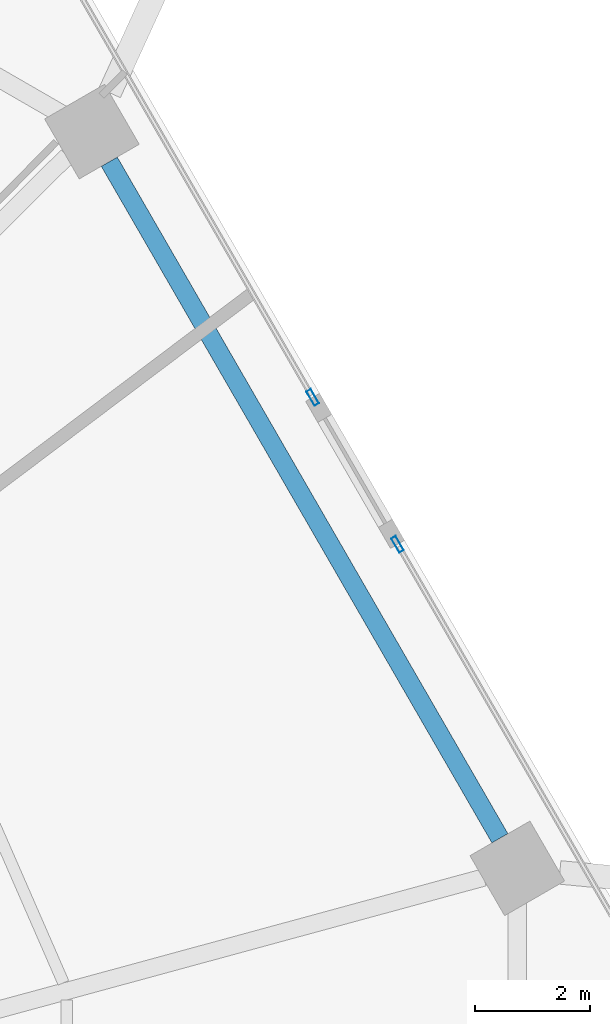
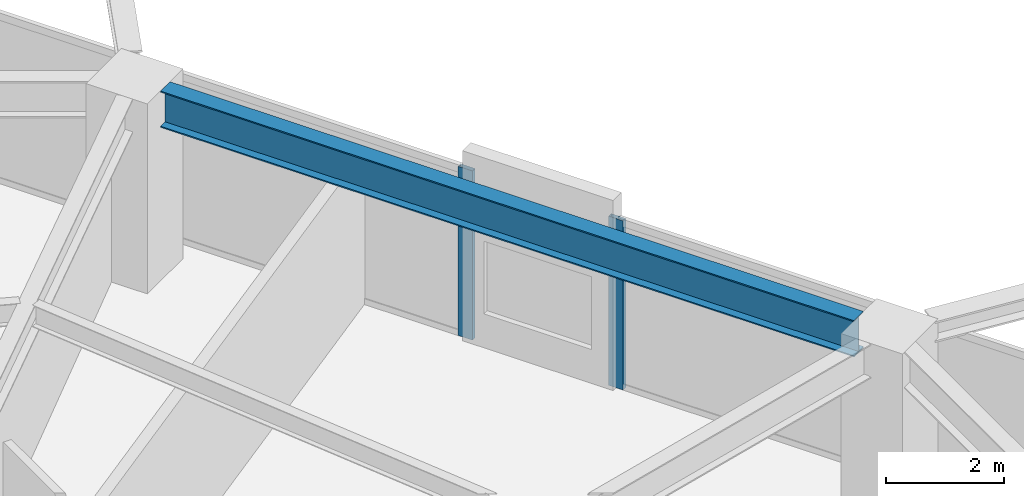
# One storey, part 17 of 25: 2 members, 1 beam, 2 elements without a shape of their own.
"""IFC4 building model written with IfcOpenShell, lengths in metres."""

import ifcopenshell
import ifcopenshell.guid

model = None  # the IFC model being written
_history = None  # IfcOwnerHistory: only IFC2X3 demands one
_inside = {}  # id of a spatial element -> (the spatial element, [elements in it])
_under = {}  # id of a project, library or spatial element -> (it, [spatial elements below it])
_declared = {}  # id of a project -> (the project, [libraries it declares])
_typed = {}  # id of a type object -> (the type object, [elements of that type])
_made_of = {}  # id of a material, layer set ... -> (it, [elements and type objects made of it])


def new_model(schema):
    """Start an empty IFC model of exactly this schema.

    Asked for "IFC4X3", IfcOpenShell would pick the latest addendum, in which some entities
    have other attributes; the version numbers below select the first issue.
    IFC2X3 requires an IfcOwnerHistory on every rooted entity: one is made here for all.
    """
    global model, _history
    if schema == "IFC4X3":
        model = ifcopenshell.file(schema_version=(4, 3, 0, 0))
    else:
        model = ifcopenshell.file(schema=schema)
    _inside.clear()
    _under.clear()
    _declared.clear()
    _typed.clear()
    _made_of.clear()
    _history = None
    if model.schema == "IFC2X3":
        org = make("IfcOrganization", Name="unknown")
        user = make(
            "IfcPersonAndOrganization",
            ThePerson=make("IfcPerson", FamilyName="unknown"),
            TheOrganization=org,
        )
        app = make(
            "IfcApplication",
            ApplicationDeveloper=org,
            Version="unknown",
            ApplicationFullName="unknown",
            ApplicationIdentifier="unknown",
        )
        _history = make(
            "IfcOwnerHistory",
            OwningUser=user,
            OwningApplication=app,
            ChangeAction="ADDED",
            CreationDate=0,
        )
    return model


def make(cls, **values):
    """One entity of the class cls with the attributes given. An attribute that is None is left unset."""
    return model.create_entity(
        cls, **{name: value for name, value in values.items() if value is not None}
    )


def rooted(cls, **values):
    """An entity with a GlobalId (a new one), such as an element, a storey or a relation."""
    return make(cls, GlobalId=ifcopenshell.guid.new(), OwnerHistory=_history, **values)


def si_unit(unit_type, name, prefix=None):
    """IfcSIUnit, for example si_unit("LENGTHUNIT", "METRE", prefix="MILLI")."""
    return make("IfcSIUnit", UnitType=unit_type, Prefix=prefix, Name=name)


def assignment(units):
    """IfcUnitAssignment: the units of a project."""
    return None if units is None else make("IfcUnitAssignment", Units=units)


def point(xyz):
    """IfcCartesianPoint."""
    return None if xyz is None else make("IfcCartesianPoint", Coordinates=xyz)


def direction(xyz):
    """IfcDirection."""
    return None if xyz is None else make("IfcDirection", DirectionRatios=xyz)


def frame(location, z_axis=None, x_axis=None):
    """IfcAxis2Placement3D, a coordinate frame: its origin and axes. An axis left out is left unset."""
    return make(
        "IfcAxis2Placement3D",
        Location=point(location),
        Axis=direction(z_axis),
        RefDirection=direction(x_axis),
    )


def frame_2d(location, x_axis=None):
    """IfcAxis2Placement2D, a coordinate frame in the plane: its origin and x axis."""
    return make(
        "IfcAxis2Placement2D", Location=point(location), RefDirection=direction(x_axis)
    )


def origin():
    """The frame at (0, 0, 0) with its axes left unset."""
    return frame((0.0, 0.0, 0.0))


def origin_2d():
    """The frame at (0, 0) in the plane with its x axis left unset."""
    return frame_2d((0.0, 0.0))


def place(relative_to, where):
    """IfcLocalPlacement: puts the frame where relative to a parent placement (None: the world)."""
    return make(
        "IfcLocalPlacement", PlacementRelTo=relative_to, RelativePlacement=where
    )


def context(
    kind, dimensions, precision=None, world=None, true_north=None, identifier=None
):
    """IfcGeometricRepresentationContext, for example the 3D "Model" context."""
    return make(
        "IfcGeometricRepresentationContext",
        ContextIdentifier=identifier,
        ContextType=kind,
        CoordinateSpaceDimension=dimensions,
        Precision=precision,
        WorldCoordinateSystem=world,
        TrueNorth=true_north,
    )


def subcontext(parent, identifier, kind, view, scale=None):
    """IfcGeometricRepresentationSubContext, for example "Body" below "Model"."""
    return make(
        "IfcGeometricRepresentationSubContext",
        ContextIdentifier=identifier,
        ContextType=kind,
        ParentContext=parent,
        TargetScale=scale,
        TargetView=view,
    )


def project(units=None, contexts=None):
    """IfcProject with its units and contexts."""
    return rooted(
        "IfcProject",
        Name="project",
        RepresentationContexts=contexts,
        UnitsInContext=assignment(units),
    )


def spatial(cls, under=None, at=None, **own):
    """A site, building, storey or space (cls), placed at a placement, below another one or the project."""
    s = rooted(cls, ObjectPlacement=at, **own)
    if under is not None:
        _under.setdefault(under.id(), (under, []))[1].append(s)
    return s


def profile(cls, at=None, kind="AREA", **sizes):
    """A parametric profile (cls). Its sizes go by their IFC names, for example OverallWidth=200.0."""
    return make(cls, ProfileType=kind, Position=at, **sizes)


def hollow_rectangle(**sizes):
    """IfcRectangleHollowProfileDef."""
    return profile("IfcRectangleHollowProfileDef", **sizes)


def i_section(**sizes):
    """IfcIShapeProfileDef."""
    return profile("IfcIShapeProfileDef", **sizes)


def extrude(swept, where, along, depth):
    """IfcExtrudedAreaSolid: the profile swept, set in the frame where, extruded along a direction by depth."""
    return make(
        "IfcExtrudedAreaSolid",
        SweptArea=swept,
        Position=where,
        ExtrudedDirection=direction(along),
        Depth=depth,
    )


def shape(context_of_items, identifier, shape_type, items):
    """IfcShapeRepresentation: the items that make up one representation, for example the "Body"."""
    return make(
        "IfcShapeRepresentation",
        ContextOfItems=context_of_items,
        RepresentationIdentifier=identifier,
        RepresentationType=shape_type,
        Items=items,
    )


def material(Name=None, Category=None):
    """IfcMaterial."""
    return make("IfcMaterial", Name=Name, Category=Category)


def material_profile(
    of_material, cross_section, Name=None, Category=None, Priority=None
):
    """IfcMaterialProfile: a cross section and its material."""
    return make(
        "IfcMaterialProfile",
        Name=Name,
        Material=of_material,
        Profile=cross_section,
        Priority=Priority,
        Category=Category,
    )


def profile_set(profiles, Name=None, composite=None):
    """IfcMaterialProfileSet."""
    return make(
        "IfcMaterialProfileSet",
        Name=Name,
        MaterialProfiles=profiles,
        CompositeProfile=composite,
    )


def made_of(thing, what):
    """Note that an element or type object is made of a material, layer set ...; save() writes the relation."""
    if what is not None:
        _made_of.setdefault(what.id(), (what, []))[1].append(thing)
    return thing


def type_object(cls, material=None, **own):
    """A type object (cls), such as IfcWallType, which elements share."""
    return made_of(rooted(cls, **own), material)


def element(
    cls,
    number,
    at=None,
    inside=None,
    cuts=None,
    type_object=None,
    material=None,
    context=None,
    identifier="Body",
    shape_type=None,
    held_by="IfcProductDefinitionShape",
    body=None,
    shapes=None,
    **own,
):
    """One element of the class cls, such as IfcWall. Its Tag is "e" and its number.

    at: its placement. inside: the storey or other place that contains it. cuts: it is an
    opening in that element (IfcRelVoidsElement). A single representation is given by context,
    identifier, shape_type and body (its items); several are given by shapes. held_by: the class
    of the entity that holds the representations. save() writes the other relations.
    """
    e = rooted(cls, Tag="e%d" % number, ObjectPlacement=at, **own)
    if body is not None:
        shapes = [shape(context, identifier, shape_type, body)]
    if shapes is not None:
        e.Representation = make(held_by, Representations=shapes)
    if inside is not None:
        _inside.setdefault(inside.id(), (inside, []))[1].append(e)
    if cuts is not None:
        rooted(
            "IfcRelVoidsElement", RelatingBuildingElement=cuts, RelatedOpeningElement=e
        )
    if type_object is not None:
        _typed.setdefault(type_object.id(), (type_object, []))[1].append(e)
    return made_of(e, material)


def aggregate(whole, parts):
    """IfcRelAggregates: a whole, such as a stair, and the parts it consists of."""
    return rooted("IfcRelAggregates", RelatingObject=whole, RelatedObjects=parts)


def save(model, path):
    """Write the relations noted so far, then the file.

    IfcRelAggregates (storeys below a building ...), IfcRelContainedInSpatialStructure (elements
    in a storey), IfcRelDefinesByType, IfcRelAssociatesMaterial and IfcRelDeclares: one each for
    every whole, place, type object, material and project.
    """
    for whole, parts in _under.values():
        aggregate(whole, parts)
    for where, things in _inside.values():
        rooted(
            "IfcRelContainedInSpatialStructure",
            RelatedElements=things,
            RelatingStructure=where,
        )
    for kind, things in _typed.values():
        rooted("IfcRelDefinesByType", RelatedObjects=things, RelatingType=kind)
    for what, things in _made_of.values():
        rooted("IfcRelAssociatesMaterial", RelatedObjects=things, RelatingMaterial=what)
    for by, libraries in _declared.values():
        rooted("IfcRelDeclares", RelatingContext=by, RelatedDefinitions=libraries)
    model.write(path)


model = new_model("IFC4")

# Units and contexts
model_context = context("Model", 3, precision=1e-05, world=origin(), true_north=direction((0.0, 1.0)))
body_context = subcontext(model_context, "Body", "Model", "MODEL_VIEW")
ifc_project = project(units=[si_unit("LENGTHUNIT", "METRE"), si_unit("AREAUNIT", "SQUARE_METRE"), si_unit("VOLUMEUNIT", "CUBIC_METRE"), si_unit("PLANEANGLEUNIT", "RADIAN"), si_unit("MASSUNIT", "GRAM", prefix="KILO")], contexts=[model_context])

# Site, building, storey
site_placement = place(None, origin())
site = spatial("IfcSite", under=ifc_project, at=site_placement, CompositionType="ELEMENT")
building_placement = place(site_placement, origin())
building = spatial("IfcBuilding", under=site, at=building_placement, Name="Zuhravey Tower", CompositionType="ELEMENT")
storey_placement = place(building_placement, frame((0.0, 0.0, 37.199951171875)))
storey = spatial("IfcBuildingStorey", under=building, at=storey_placement, Name="L09", CompositionType="ELEMENT", Elevation=37.199951171875)

# Curtain wall, member
ifc_material_1 = material(Name="Thermally broken anodised aluminium", Category="aluminium")
curtain_wall_type = type_object("IfcCurtainWallType", Name="School Low-E Unitised Curtain Wall CW1", PredefinedType="NOTDEFINED", material=ifc_material_1)
curtain_wall_1_placement = place(storey_placement, origin())
curtain_wall_1 = element("IfcCurtainWall", 1, at=curtain_wall_1_placement, inside=storey, type_object=curtain_wall_type, Name="L09 CW1 CW-L09-F1-1", PredefinedType="NOTDEFINED")
ifc_material_2 = material(Name="Anodised aluminium", Category="aluminium")
ifc_material_profile_1 = material_profile(ifc_material_2, hollow_rectangle(XDim=0.090087890625, YDim=0.284912109375, WallThickness=0.0048828125, at=origin_2d()), Name="ALU-RHS-90x285x5")
ifc_profile_set_1 = profile_set([ifc_material_profile_1], Name="Anodised aluminium")
member_type = type_object("IfcMemberType", Name="Curtain-Wall Mullion 90x180", PredefinedType="MULLION", material=ifc_profile_set_1)
member_1_placement = place(storey_placement, frame((60.34375, 47.752197265625, 0.0), z_axis=(0.0, 0.0, 1.0), x_axis=(0.866027830768, 0.499995796318, 0.0)))
member_1 = element("IfcMember", 2, at=member_1_placement, type_object=member_type, Name="CW1 mullion 2", PredefinedType="MULLION", context=body_context, shape_type="SweptSolid", body=[
    extrude(hollow_rectangle(XDim=0.090087890625, YDim=0.284912109375, WallThickness=0.0048828125, at=origin_2d()), origin(), (0.0, 0.0, 1.0), 3.491943359375),
])
aggregate(curtain_wall_1, [member_1])

curtain_wall_2_placement = place(storey_placement, origin())
curtain_wall_2 = element("IfcCurtainWall", 3, at=curtain_wall_2_placement, inside=storey, type_object=curtain_wall_type, Name="L09 CW1 CW-L09-F1-2", PredefinedType="NOTDEFINED")
member_2_placement = place(storey_placement, frame((61.813720703125, 45.206298828125, 0.0), z_axis=(0.0, 0.0, 1.0), x_axis=(0.866024593191, 0.500001403986, 0.0)))
member_2 = element("IfcMember", 4, at=member_2_placement, type_object=member_type, Name="CW1 mullion 1", PredefinedType="MULLION", context=body_context, shape_type="SweptSolid", body=[
    extrude(hollow_rectangle(XDim=0.090087890625, YDim=0.284912109375, WallThickness=0.0048828125, at=origin_2d()), origin(), (0.0, 0.0, 1.0), 3.491943359375),
])
aggregate(curtain_wall_2, [member_2])

# Beam
ifc_material_3 = material(Name="Steel SM355", Category="steel")
ifc_material_profile_2 = material_profile(ifc_material_3, i_section(OverallWidth=0.320068359375, OverallDepth=0.75, WebThickness=0.013916015625, FlangeThickness=0.02490234375, at=origin_2d()), Name="H-750x320x14x25")
ifc_profile_set_2 = profile_set([ifc_material_profile_2], Name="Steel SM355")
beam_type = type_object("IfcBeamType", Name="Perimeter Ring Beam H750x320", PredefinedType="BEAM", material=ifc_profile_set_2)
beam_placement = place(storey_placement, frame((63.587646484375, 40.11376953125, 3.545166015625), z_axis=(-0.499999877243, 0.866025474658, 0.0), x_axis=(-0.866025474658, -0.499999877243, 0.0)))
element("IfcBeam", 5, at=beam_placement, inside=storey, type_object=beam_type, Name="L09 PB1 BM-L09-PB-01", PredefinedType="BEAM", context=body_context, shape_type="SweptSolid", body=[
    extrude(i_section(OverallWidth=0.320068359375, OverallDepth=0.75, WebThickness=0.013916015625, FlangeThickness=0.02490234375, at=origin_2d()), origin(), (0.0, 0.0, 1.0), 13.5341796875),
])

save(model, "model.ifc")
